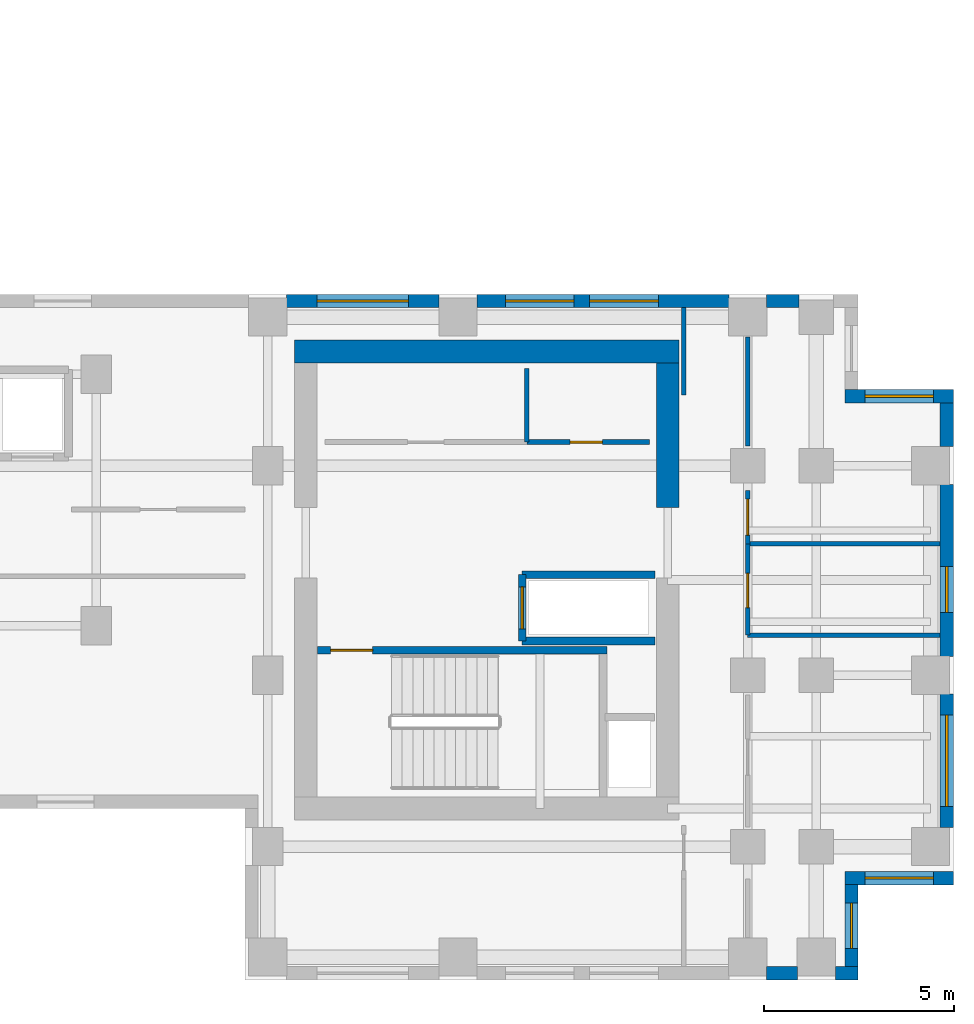
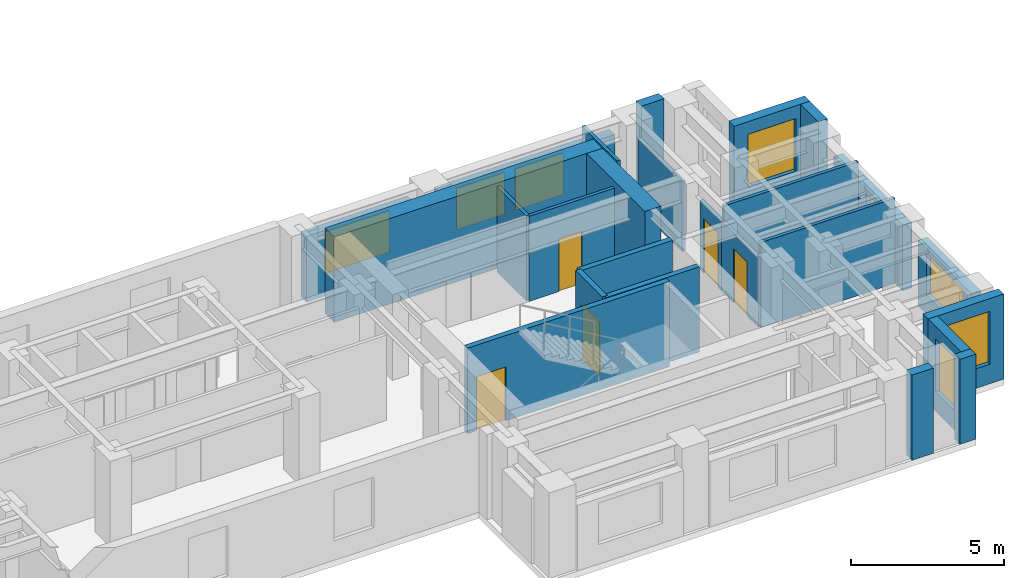
# One storey, part 8 of 13: 25 walls, 8 windows, 5 doors, 13 openings.
"""IFC4 building model written with IfcOpenShell, lengths in metres."""

from ifc_helpers import new_model, si_unit, direction, frame, frame_2d, origin, place, context, subcontext, project, spatial, rectangle, extrude, source, transform, mapped, material, layer, layer_set, type_object, element, fill, save


model = new_model("IFC4")

# Units and contexts
model_context = context("Model", 3, precision=1e-05, world=origin(), true_north=direction((0.0, 1.0)))
body_context = subcontext(model_context, "Body", "Model", "MODEL_VIEW")
ifc_project = project(units=[si_unit("LENGTHUNIT", "METRE"), si_unit("AREAUNIT", "SQUARE_METRE"), si_unit("VOLUMEUNIT", "CUBIC_METRE"), si_unit("PLANEANGLEUNIT", "RADIAN"), si_unit("MASSUNIT", "GRAM", prefix="KILO")], contexts=[model_context])

# Site, building, storey
site_placement = place(None, origin())
site = spatial("IfcSite", under=ifc_project, at=site_placement, CompositionType="ELEMENT")
building_placement = place(site_placement, origin())
building = spatial("IfcBuilding", under=site, at=building_placement, Name="Kharzan Plaza Tower", CompositionType="ELEMENT")
storey_placement = place(building_placement, frame((0.0, 0.0, 143.10009765625)))
storey = spatial("IfcBuildingStorey", under=building, at=storey_placement, Name="L38", CompositionType="ELEMENT", Elevation=143.10009765625)

# Wall, opening, window
ifc_material_1 = material(Name="Concrete C40/50", Category="concrete")
ifc_layer_1 = layer(ifc_material_1, 0.35009765625)
ifc_layer_set_1 = layer_set([ifc_layer_1], Name="Concrete C40/50")
wall_type_1 = type_object("IfcWallType", Name="WL-EXT-MAS-Z3", PredefinedType="SOLIDWALL", material=ifc_layer_set_1)
wall_1_placement = place(storey_placement, frame((50.324951171875, 0.347900390625, 0.0), z_axis=(0.0, 0.0, 1.0), x_axis=(0.0, 1.0, 0.0)))
wall_1 = element("IfcWall", 1, at=wall_1_placement, inside=storey, type_object=wall_type_1, Name="L38 Masonry-Frame Exterior Wall 34", PredefinedType="SOLIDWALL", context=body_context, shape_type="SweptSolid", body=[
    extrude(rectangle(XDim=2.154052734375, YDim=0.35009765625, at=frame_2d((1.0771484375, 0.0))), origin(), (0.0, 0.0, 1.0), 3.385009765625),
])
opening_1_placement = place(wall_1_placement, frame((0.47705078125, 0.0, 0.780029296875)))
opening_1 = element("IfcOpeningElement", 2, at=opening_1_placement, cuts=wall_1, Name="Opening W3", PredefinedType="OPENING", context=body_context, shape_type="SweptSolid", body=[
    extrude(rectangle(XDim=1.199951171875, YDim=2.10009765625, at=frame_2d((0.60009765625, 1.050048828125))), frame((0.0, 0.18505859375, 0.0), z_axis=(0.0, -1.0, 0.0), x_axis=(1.0, 0.0, 0.0)), (0.0, 0.0, 1.0), 0.3701171875),
])
ifc_material_2 = material(Name="Low-E Double Glazing", Category="glass")
window_type_1 = type_object("IfcWindowType", Name="WN-REC-1200x2100", PartitioningType="SINGLE_PANEL", PredefinedType="WINDOW", material=ifc_material_2)
shared_shape_1 = source(origin(), body_context, "Body", "SweptSolid", [
    extrude(rectangle(XDim=1.199951171875, YDim=2.10009765625, at=frame_2d((0.60009765625, 1.050048828125))), frame((0.0, 0.030029296875, 0.0), z_axis=(0.0, -1.0, 0.0), x_axis=(1.0, 0.0, 0.0)), (0.0, 0.0, 1.0), 0.06005859375),
])
window_1_placement = place(opening_1_placement, origin())
window_1 = element("IfcWindow", 3, at=window_1_placement, inside=storey, type_object=window_type_1, Name="L38 Recessed Solar-Control Window 34-1", OverallHeight=2.10009765625, OverallWidth=1.199951171875, PartitioningType="SINGLE_PANEL", PredefinedType="WINDOW", context=body_context, shape_type="MappedRepresentation", body=[
    mapped(shared_shape_1, transform((0.0, 0.0, 0.0), x_axis=(1.0, 0.0, 0.0), y_axis=(0.0, 1.0, 0.0), z_axis=(0.0, 0.0, 1.0))),
])
fill(opening_1, window_1)

wall_2_placement = place(storey_placement, frame((50.14990234375, 2.675048828125, 0.0), z_axis=(0.0, 0.0, 1.0), x_axis=(1.0, 0.0, 0.0)))
wall_2 = element("IfcWall", 4, at=wall_2_placement, inside=storey, type_object=wall_type_1, Name="L38 Masonry-Frame Exterior Wall 35", PredefinedType="SOLIDWALL", context=body_context, shape_type="SweptSolid", body=[
    extrude(rectangle(XDim=2.85009765625, YDim=0.35009765625, at=frame_2d((1.425048828125, 0.0))), origin(), (0.0, 0.0, 1.0), 3.385009765625),
])
opening_2_placement = place(wall_2_placement, frame((0.52490234375, 0.0, 0.780029296875)))
opening_2 = element("IfcOpeningElement", 5, at=opening_2_placement, cuts=wall_2, Name="Opening W1", PredefinedType="OPENING", context=body_context, shape_type="SweptSolid", body=[
    extrude(rectangle(XDim=1.800048828125, YDim=2.10009765625, at=frame_2d((0.89990234375, 1.050048828125))), frame((0.0, 0.18505859375, 0.0), z_axis=(0.0, -1.0, 0.0), x_axis=(1.0, 0.0, 0.0)), (0.0, 0.0, 1.0), 0.3701171875),
])
window_type_2 = type_object("IfcWindowType", Name="WN-REC-1800x2100", PartitioningType="SINGLE_PANEL", PredefinedType="WINDOW", material=ifc_material_2)
shared_shape_2 = source(origin(), body_context, "Body", "SweptSolid", [
    extrude(rectangle(XDim=1.800048828125, YDim=2.10009765625, at=frame_2d((0.89990234375, 1.050048828125))), frame((0.0, 0.030029296875, 0.0), z_axis=(0.0, -1.0, 0.0), x_axis=(1.0, 0.0, 0.0)), (0.0, 0.0, 1.0), 0.06005859375),
])
window_2_placement = place(opening_2_placement, origin())
window_2 = element("IfcWindow", 6, at=window_2_placement, inside=storey, type_object=window_type_2, Name="L38 Recessed Solar-Control Window 35-1", OverallHeight=2.10009765625, OverallWidth=1.800048828125, PartitioningType="SINGLE_PANEL", PredefinedType="WINDOW", context=body_context, shape_type="MappedRepresentation", body=[
    mapped(shared_shape_2, transform((0.0, 0.0, 0.0), x_axis=(1.0, 0.0, 0.0), y_axis=(0.0, 1.0, 0.0), z_axis=(0.0, 0.0, 1.0))),
])
fill(opening_2, window_2)

wall_3_placement = place(storey_placement, frame((52.824951171875, 3.998046875, 0.0), z_axis=(0.0, 0.0, 1.0), x_axis=(0.0, 1.0, 0.0)))
wall_3 = element("IfcWall", 7, at=wall_3_placement, inside=storey, type_object=wall_type_1, Name="L38 Masonry-Frame Exterior Wall 36", PredefinedType="SOLIDWALL", context=body_context, shape_type="SweptSolid", body=[
    extrude(rectangle(XDim=3.50390625, YDim=0.35009765625, at=frame_2d((1.751953125, 0.0))), origin(), (0.0, 0.0, 1.0), 2.61181640625),
])
opening_3_placement = place(wall_3_placement, frame((0.552001953125, 0.0, 0.780029296875)))
opening_3 = element("IfcOpeningElement", 8, at=opening_3_placement, cuts=wall_3, Name="Opening W2", PredefinedType="OPENING", context=body_context, shape_type="SweptSolid", body=[
    extrude(rectangle(XDim=2.39990234375, YDim=1.652099609375, at=frame_2d((1.199951171875, 0.826171875))), frame((0.0, 0.18505859375, 0.0), z_axis=(0.0, -1.0, 0.0), x_axis=(1.0, 0.0, 0.0)), (0.0, 0.0, 1.0), 0.3701171875),
])
window_type_3 = type_object("IfcWindowType", Name="WN-REC-2400x2100", PartitioningType="SINGLE_PANEL", PredefinedType="WINDOW", material=ifc_material_2)
shared_shape_3 = source(origin(), body_context, "Body", "SweptSolid", [
    extrude(rectangle(XDim=2.39990234375, YDim=1.652099609375, at=frame_2d((1.199951171875, 0.826171875))), frame((0.0, 0.030029296875, 0.0), z_axis=(0.0, -1.0, 0.0), x_axis=(1.0, 0.0, 0.0)), (0.0, 0.0, 1.0), 0.06005859375),
])
window_3_placement = place(opening_3_placement, origin())
window_3 = element("IfcWindow", 9, at=window_3_placement, inside=storey, type_object=window_type_3, Name="L38 Wide Recessed Solar-Control Window 36-1", OverallHeight=1.652099609375, OverallWidth=2.39990234375, PartitioningType="SINGLE_PANEL", PredefinedType="WINDOW", context=body_context, shape_type="MappedRepresentation", body=[
    mapped(shared_shape_3, transform((0.0, 0.0, 0.0), x_axis=(1.0, 0.0, 0.0), y_axis=(0.0, 1.0, 0.0), z_axis=(0.0, 0.0, 1.0))),
])
fill(opening_3, window_3)

wall_4_placement = place(storey_placement, frame((52.824951171875, 8.498046875, 0.0), z_axis=(0.0, 0.0, 1.0), x_axis=(0.0, 1.0, 0.0)))
wall_4 = element("IfcWall", 10, at=wall_4_placement, inside=storey, type_object=wall_type_1, Name="L38 Masonry-Frame Exterior Wall 37", PredefinedType="SOLIDWALL", context=body_context, shape_type="SweptSolid", body=[
    extrude(rectangle(XDim=4.50390625, YDim=0.35009765625, at=frame_2d((2.251953125, 0.0))), origin(), (0.0, 0.0, 1.0), 2.61181640625),
])
opening_4_placement = place(wall_4_placement, frame((1.152099609375, 0.0, 0.780029296875)))
opening_4 = element("IfcOpeningElement", 11, at=opening_4_placement, cuts=wall_4, Name="Opening W3", PredefinedType="OPENING", context=body_context, shape_type="SweptSolid", body=[
    extrude(rectangle(XDim=1.199951171875, YDim=1.652099609375, at=frame_2d((0.60009765625, 0.826171875))), frame((0.0, 0.18505859375, 0.0), z_axis=(0.0, -1.0, 0.0), x_axis=(1.0, 0.0, 0.0)), (0.0, 0.0, 1.0), 0.3701171875),
])
shared_shape_4 = source(origin(), body_context, "Body", "SweptSolid", [
    extrude(rectangle(XDim=1.199951171875, YDim=1.652099609375, at=frame_2d((0.60009765625, 0.826171875))), frame((0.0, 0.030029296875, 0.0), z_axis=(0.0, -1.0, 0.0), x_axis=(1.0, 0.0, 0.0)), (0.0, 0.0, 1.0), 0.06005859375),
])
window_4_placement = place(opening_4_placement, origin())
window_4 = element("IfcWindow", 12, at=window_4_placement, inside=storey, type_object=window_type_1, Name="L38 Recessed Solar-Control Window 37-1", OverallHeight=1.652099609375, OverallWidth=1.199951171875, PartitioningType="SINGLE_PANEL", PredefinedType="WINDOW", context=body_context, shape_type="MappedRepresentation", body=[
    mapped(shared_shape_4, transform((0.0, 0.0, 0.0), x_axis=(1.0, 0.0, 0.0), y_axis=(0.0, 1.0, 0.0), z_axis=(0.0, 0.0, 1.0))),
])
fill(opening_4, window_4)

wall_5_placement = place(storey_placement, frame((53.0, 15.324951171875, 0.0), z_axis=(0.0, 0.0, 1.0), x_axis=(-1.0, 0.0, 0.0)))
wall_5 = element("IfcWall", 13, at=wall_5_placement, inside=storey, type_object=wall_type_1, Name="L38 Masonry-Frame Exterior Wall 39", PredefinedType="SOLIDWALL", context=body_context, shape_type="SweptSolid", body=[
    extrude(rectangle(XDim=2.85009765625, YDim=0.35009765625, at=frame_2d((1.425048828125, 0.0))), origin(), (0.0, 0.0, 1.0), 3.385009765625),
])
opening_5_placement = place(wall_5_placement, frame((0.52490234375, 0.0, 0.780029296875)))
opening_5 = element("IfcOpeningElement", 14, at=opening_5_placement, cuts=wall_5, Name="Opening W1", PredefinedType="OPENING", context=body_context, shape_type="SweptSolid", body=[
    extrude(rectangle(XDim=1.800048828125, YDim=2.10009765625, at=frame_2d((0.89990234375, 1.050048828125))), frame((0.0, 0.18505859375, 0.0), z_axis=(0.0, -1.0, 0.0), x_axis=(1.0, 0.0, 0.0)), (0.0, 0.0, 1.0), 0.3701171875),
])
window_5_placement = place(opening_5_placement, origin())
window_5 = element("IfcWindow", 15, at=window_5_placement, inside=storey, type_object=window_type_2, Name="L38 Recessed Solar-Control Window 39-1", OverallHeight=2.10009765625, OverallWidth=1.800048828125, PartitioningType="SINGLE_PANEL", PredefinedType="WINDOW", context=body_context, shape_type="MappedRepresentation", body=[
    mapped(shared_shape_2, transform((0.0, 0.0, 0.0), x_axis=(1.0, 0.0, 0.0), y_axis=(0.0, 1.0, 0.0), z_axis=(0.0, 0.0, 1.0))),
])
fill(opening_5, window_5)

# Wall, openings, windows
wall_6_placement = place(storey_placement, frame((47.10205078125, 17.824951171875, 0.0), z_axis=(0.0, 0.0, 1.0), x_axis=(-1.0, 0.0, 0.0)))
wall_6 = element("IfcWall", 16, at=wall_6_placement, inside=storey, type_object=wall_type_1, Name="L38 Masonry-Frame Exterior Wall 43", PredefinedType="SOLIDWALL", context=body_context, shape_type="SweptSolid", body=[
    extrude(rectangle(XDim=6.60400390625, YDim=0.35009765625, at=frame_2d((3.302001953125, 0.0))), origin(), (0.0, 0.0, 1.0), 2.61181640625),
])
opening_6_placement = place(wall_6_placement, frame((1.849365234375, 0.0, 0.780029296875)))
opening_6 = element("IfcOpeningElement", 17, at=opening_6_placement, cuts=wall_6, Name="Opening W1", PredefinedType="OPENING", context=body_context, shape_type="SweptSolid", body=[
    extrude(rectangle(XDim=1.800048828125, YDim=1.652099609375, at=frame_2d((0.89990234375, 0.826171875))), frame((0.0, 0.18505859375, 0.0), z_axis=(0.0, -1.0, 0.0), x_axis=(1.0, 0.0, 0.0)), (0.0, 0.0, 1.0), 0.3701171875),
])
opening_7_placement = place(wall_6_placement, frame((4.066650390625, 0.0, 0.780029296875)))
opening_7 = element("IfcOpeningElement", 18, at=opening_7_placement, cuts=wall_6, Name="Opening W1", PredefinedType="OPENING", context=body_context, shape_type="SweptSolid", body=[
    extrude(rectangle(XDim=1.800048828125, YDim=1.652099609375, at=frame_2d((0.89990234375, 0.826171875))), frame((0.0, 0.18505859375, 0.0), z_axis=(0.0, -1.0, 0.0), x_axis=(1.0, 0.0, 0.0)), (0.0, 0.0, 1.0), 0.3701171875),
])
shared_shape_5 = source(origin(), body_context, "Body", "SweptSolid", [
    extrude(rectangle(XDim=1.800048828125, YDim=1.652099609375, at=frame_2d((0.89990234375, 0.826171875))), frame((0.0, 0.030029296875, 0.0), z_axis=(0.0, -1.0, 0.0), x_axis=(1.0, 0.0, 0.0)), (0.0, 0.0, 1.0), 0.06005859375),
])
window_6_placement = place(opening_6_placement, origin())
window_6 = element("IfcWindow", 19, at=window_6_placement, inside=storey, type_object=window_type_2, Name="L38 Recessed Solar-Control Window 43-1", OverallHeight=1.652099609375, OverallWidth=1.800048828125, PartitioningType="SINGLE_PANEL", PredefinedType="WINDOW", context=body_context, shape_type="MappedRepresentation", body=[
    mapped(shared_shape_5, transform((0.0, 0.0, 0.0), x_axis=(1.0, 0.0, 0.0), y_axis=(0.0, 1.0, 0.0), z_axis=(0.0, 0.0, 1.0))),
])
fill(opening_6, window_6)
window_7_placement = place(opening_7_placement, origin())
window_7 = element("IfcWindow", 20, at=window_7_placement, inside=storey, type_object=window_type_2, Name="L38 Recessed Solar-Control Window 43-2", OverallHeight=1.652099609375, OverallWidth=1.800048828125, PartitioningType="SINGLE_PANEL", PredefinedType="WINDOW", context=body_context, shape_type="MappedRepresentation", body=[
    mapped(shared_shape_5, transform((0.0, 0.0, 0.0), x_axis=(1.0, 0.0, 0.0), y_axis=(0.0, 1.0, 0.0), z_axis=(0.0, 0.0, 1.0))),
])
fill(opening_7, window_7)

# Wall, opening, window
wall_7_placement = place(storey_placement, frame((39.501953125, 17.824951171875, 0.0), z_axis=(0.0, 0.0, 1.0), x_axis=(-1.0, 0.0, 0.0)))
wall_7 = element("IfcWall", 21, at=wall_7_placement, inside=storey, type_object=wall_type_1, Name="L38 Masonry-Frame Exterior Wall 44", PredefinedType="SOLIDWALL", context=body_context, shape_type="SweptSolid", body=[
    extrude(rectangle(XDim=4.00390625, YDim=0.35009765625, at=frame_2d((2.001953125, 0.0))), origin(), (0.0, 0.0, 1.0), 2.61181640625),
])
opening_8_placement = place(wall_7_placement, frame((0.802001953125, 0.0, 0.780029296875)))
opening_8 = element("IfcOpeningElement", 22, at=opening_8_placement, cuts=wall_7, Name="Opening W2", PredefinedType="OPENING", context=body_context, shape_type="SweptSolid", body=[
    extrude(rectangle(XDim=2.39990234375, YDim=1.652099609375, at=frame_2d((1.199951171875, 0.826171875))), frame((0.0, 0.18505859375, 0.0), z_axis=(0.0, -1.0, 0.0), x_axis=(1.0, 0.0, 0.0)), (0.0, 0.0, 1.0), 0.3701171875),
])
window_8_placement = place(opening_8_placement, origin())
window_8 = element("IfcWindow", 23, at=window_8_placement, inside=storey, type_object=window_type_3, Name="L38 Wide Recessed Solar-Control Window 44-1", OverallHeight=1.652099609375, OverallWidth=2.39990234375, PartitioningType="SINGLE_PANEL", PredefinedType="WINDOW", context=body_context, shape_type="MappedRepresentation", body=[
    mapped(shared_shape_3, transform((0.0, 0.0, 0.0), x_axis=(1.0, 0.0, 0.0), y_axis=(0.0, 1.0, 0.0), z_axis=(0.0, 0.0, 1.0))),
])
fill(opening_8, window_8)

# Wall, opening, door
ifc_material_3 = material(Name="Fire-Rated Gypsum Board Partition", Category="gypsum")
ifc_layer_2 = layer(ifc_material_3, 0.125)
ifc_layer_set_2 = layer_set([ifc_layer_2], Name="Fire-Rated Gypsum Board Partition")
wall_type_2 = type_object("IfcWallType", Name="WL-INT-PART-125", PredefinedType="PARTITIONING", material=ifc_layer_set_2)
wall_8_placement = place(storey_placement, frame((41.800048828125, 14.1201171875, 0.0), z_axis=(0.0, 0.0, 1.0), x_axis=(1.0, 0.0, 0.0)))
wall_8 = element("IfcWall", 24, at=wall_8_placement, inside=storey, type_object=wall_type_2, Name="L38 Interior Partition CB-RBLSB", PredefinedType="PARTITIONING", context=body_context, shape_type="SweptSolid", body=[
    extrude(rectangle(XDim=3.219970703125, YDim=0.125, at=frame_2d((1.60986328125, 0.0))), origin(), (0.0, 0.0, 1.0), 3.385009765625),
])
opening_9_placement = place(wall_8_placement, frame((1.135009765625, 0.0, 0.0)))
opening_9 = element("IfcOpeningElement", 25, at=opening_9_placement, cuts=wall_8, Name="Opening RD1", PredefinedType="OPENING", context=body_context, shape_type="SweptSolid", body=[
    extrude(rectangle(XDim=0.85009765625, YDim=2.10009765625, at=frame_2d((0.425048828125, 1.050048828125))), frame((0.0, 0.072509765625, 0.0), z_axis=(0.0, -1.0, 0.0), x_axis=(1.0, 0.0, 0.0)), (0.0, 0.0, 1.0), 0.14501953125),
])
ifc_material_4 = material(Name="Powder-Coated Fire-Rated Steel", Category="steel")
door_type_1 = type_object("IfcDoorType", Name="DR-RISER-900", OperationType="NOTDEFINED", PredefinedType="DOOR", material=ifc_material_4)
shared_shape_6 = source(origin(), body_context, "Body", "SweptSolid", [
    extrude(rectangle(XDim=0.85009765625, YDim=2.10009765625, at=frame_2d((0.425048828125, 1.050048828125))), frame((0.0, 0.02490234375, 0.0), z_axis=(0.0, -1.0, 0.0), x_axis=(1.0, 0.0, 0.0)), (0.0, 0.0, 1.0), 0.050048828125),
])
door_1_placement = place(opening_9_placement, origin())
door_1 = element("IfcDoor", 26, at=door_1_placement, inside=storey, type_object=door_type_1, Name="L38 Housekeeping Store Door", OperationType="SINGLE_SWING_RIGHT", OverallHeight=2.10009765625, OverallWidth=0.85009765625, PredefinedType="DOOR", context=body_context, shape_type="MappedRepresentation", body=[
    mapped(shared_shape_6, transform((0.0, 0.0, 0.0), x_axis=(1.0, 0.0, 0.0), y_axis=(0.0, 1.0, 0.0), z_axis=(0.0, 0.0, 1.0))),
])
fill(opening_9, door_1)

wall_9_placement = place(storey_placement, frame((47.60009765625, 11.449951171875, 0.0), z_axis=(0.0, 0.0, 1.0), x_axis=(0.0, 1.0, 0.0)))
wall_9 = element("IfcWall", 27, at=wall_9_placement, inside=storey, type_object=wall_type_2, Name="L38 Interior Partition SH-B1W1", PredefinedType="PARTITIONING", context=body_context, shape_type="SweptSolid", body=[
    extrude(rectangle(XDim=1.400146484375, YDim=0.125, at=frame_2d((0.7001953125, 0.0))), origin(), (0.0, 0.0, 1.0), 2.77294921875),
])
opening_10_placement = place(wall_9_placement, frame((0.22509765625, 0.0, 0.0)))
opening_10 = element("IfcOpeningElement", 28, at=opening_10_placement, cuts=wall_9, Name="Opening OD1", PredefinedType="OPENING", context=body_context, shape_type="SweptSolid", body=[
    extrude(rectangle(XDim=0.949951171875, YDim=2.14990234375, at=frame_2d((0.47509765625, 1.074951171875))), frame((0.0, 0.072509765625, 0.0), z_axis=(0.0, -1.0, 0.0), x_axis=(1.0, 0.0, 0.0)), (0.0, 0.0, 1.0), 0.14501953125),
])
ifc_material_5 = material(Name="Acoustic Solid-Core Stained Oak", Category="timber")
door_type_2 = type_object("IfcDoorType", Name="DR-OFF-SINGLE", OperationType="NOTDEFINED", PredefinedType="DOOR", material=ifc_material_5)
shared_shape_7 = source(origin(), body_context, "Body", "SweptSolid", [
    extrude(rectangle(XDim=0.949951171875, YDim=2.14990234375, at=frame_2d((0.47509765625, 1.074951171875))), frame((0.0, 0.02490234375, 0.0), z_axis=(0.0, -1.0, 0.0), x_axis=(1.0, 0.0, 0.0)), (0.0, 0.0, 1.0), 0.050048828125),
])
door_2_placement = place(opening_10_placement, origin())
door_2 = element("IfcDoor", 29, at=door_2_placement, inside=storey, type_object=door_type_2, Name="L38 Wing B North Office Door", OperationType="SINGLE_SWING_LEFT", OverallHeight=2.14990234375, OverallWidth=0.949951171875, PredefinedType="DOOR", context=body_context, shape_type="MappedRepresentation", body=[
    mapped(shared_shape_7, transform((0.0, 0.0, 0.0), x_axis=(1.0, 0.0, 0.0), y_axis=(0.0, 1.0, 0.0), z_axis=(0.0, 0.0, 1.0))),
])
fill(opening_10, door_2)

wall_10_placement = place(storey_placement, frame((47.60009765625, 9.050048828125, 0.0), z_axis=(0.0, 0.0, 1.0), x_axis=(0.0, 1.0, 0.0)))
wall_10 = element("IfcWall", 30, at=wall_10_placement, inside=storey, type_object=wall_type_2, Name="L38 Interior Partition SH-B1WC", PredefinedType="PARTITIONING", context=body_context, shape_type="SweptSolid", body=[
    extrude(rectangle(XDim=2.39990234375, YDim=0.125, at=frame_2d((1.199951171875, 0.0))), origin(), (0.0, 0.0, 1.0), 2.77294921875),
])
opening_11_placement = place(wall_10_placement, frame((0.72509765625, 0.0, 0.0)))
opening_11 = element("IfcOpeningElement", 31, at=opening_11_placement, cuts=wall_10, Name="Opening WD1", PredefinedType="OPENING", context=body_context, shape_type="SweptSolid", body=[
    extrude(rectangle(XDim=0.89990234375, YDim=2.14990234375, at=frame_2d((0.449951171875, 1.074951171875))), frame((0.0, 0.072509765625, 0.0), z_axis=(0.0, -1.0, 0.0), x_axis=(1.0, 0.0, 0.0)), (0.0, 0.0, 1.0), 0.14501953125),
])
ifc_material_6 = material(Name="Moisture-Resistant Fire-Rated Laminate", Category="timber")
door_type_3 = type_object("IfcDoorType", Name="DR-WC-900", OperationType="NOTDEFINED", PredefinedType="DOOR", material=ifc_material_6)
shared_shape_8 = source(origin(), body_context, "Body", "SweptSolid", [
    extrude(rectangle(XDim=0.89990234375, YDim=2.14990234375, at=frame_2d((0.449951171875, 1.074951171875))), frame((0.0, 0.02490234375, 0.0), z_axis=(0.0, -1.0, 0.0), x_axis=(1.0, 0.0, 0.0)), (0.0, 0.0, 1.0), 0.050048828125),
])
door_3_placement = place(opening_11_placement, origin())
door_3 = element("IfcDoor", 32, at=door_3_placement, inside=storey, type_object=door_type_3, Name="L38 Wing B Washroom Door", OperationType="SINGLE_SWING_LEFT", OverallHeight=2.14990234375, OverallWidth=0.89990234375, PredefinedType="DOOR", context=body_context, shape_type="MappedRepresentation", body=[
    mapped(shared_shape_8, transform((0.0, 0.0, 0.0), x_axis=(1.0, 0.0, 0.0), y_axis=(0.0, 1.0, 0.0), z_axis=(0.0, 0.0, 1.0))),
])
fill(opening_11, door_3)

ifc_layer_3 = layer(ifc_material_1, 0.199951171875)
ifc_layer_set_3 = layer_set([ifc_layer_3], Name="Concrete C40/50")
wall_type_3 = type_object("IfcWallType", Name="WL-INT-SHAFT-200", PredefinedType="PARTITIONING", material=ifc_layer_set_3)
wall_11_placement = place(storey_placement, frame((41.679931640625, 8.89990234375, 0.0), z_axis=(0.0, 0.0, 1.0), x_axis=(0.0, 1.0, 0.0)))
wall_11 = element("IfcWall", 33, at=wall_11_placement, inside=storey, type_object=wall_type_3, Name="L38 Interior Partition SHF-SVL-2-W", PredefinedType="PARTITIONING", context=body_context, shape_type="SweptSolid", body=[
    extrude(rectangle(XDim=1.739990234375, YDim=0.199951171875, at=frame_2d((0.8701171875, 0.0))), origin(), (0.0, 0.0, 1.0), 3.385009765625),
])
opening_12_placement = place(wall_11_placement, frame((0.320068359375, 0.0, 0.0)))
opening_12 = element("IfcOpeningElement", 34, at=opening_12_placement, cuts=wall_11, Name="Opening LD", PredefinedType="OPENING", context=body_context, shape_type="SweptSolid", body=[
    extrude(rectangle(XDim=1.10009765625, YDim=2.199951171875, at=frame_2d((0.550048828125, 1.10009765625))), frame((0.0, 0.10986328125, 0.0), z_axis=(0.0, -1.0, 0.0), x_axis=(1.0, 0.0, 0.0)), (0.0, 0.0, 1.0), 0.219970703125),
])
ifc_material_7 = material(Name="Brushed Stainless Steel", Category="steel")
door_type_4 = type_object("IfcDoorType", Name="DR-LIFT-SLIDE", OperationType="SLIDING_TO_LEFT", PredefinedType="DOOR", material=ifc_material_7)
shared_shape_9 = source(origin(), body_context, "Body", "SweptSolid", [
    extrude(rectangle(XDim=1.10009765625, YDim=2.199951171875, at=frame_2d((0.550048828125, 1.10009765625))), frame((0.0, 0.02490234375, 0.0), z_axis=(0.0, -1.0, 0.0), x_axis=(1.0, 0.0, 0.0)), (0.0, 0.0, 1.0), 0.050048828125),
])
door_4_placement = place(opening_12_placement, origin())
door_4 = element("IfcDoor", 35, at=door_4_placement, inside=storey, type_object=door_type_4, Name="L38 Service Lift SVL-2 Sliding Landing Door", OperationType="SLIDING_TO_LEFT", OverallHeight=2.199951171875, OverallWidth=1.10009765625, PredefinedType="DOOR", context=body_context, shape_type="MappedRepresentation", body=[
    mapped(shared_shape_9, transform((0.0, 0.0, 0.0), x_axis=(1.0, 0.0, 0.0), y_axis=(0.0, 1.0, 0.0), z_axis=(0.0, 0.0, 1.0))),
])
fill(opening_12, door_4)

ifc_material_8 = material(Name="Concrete C50/60", Category="concrete")
ifc_layer_4 = layer(ifc_material_8, 0.199951171875)
ifc_layer_set_4 = layer_set([ifc_layer_4], Name="Concrete C50/60")
wall_type_4 = type_object("IfcWallType", Name="WL-SHAFT-RC200", PredefinedType="SHEAR", material=ifc_layer_set_4)
wall_12_placement = place(storey_placement, frame((36.302001953125, 8.655029296875, 0.0), z_axis=(0.0, 0.0, 1.0), x_axis=(1.0, 0.0, 0.0)))
wall_12 = element("IfcWall", 36, at=wall_12_placement, inside=storey, type_object=wall_type_4, Name="L38 Stair ST-3 North RC Shaft Wall", PredefinedType="SHEAR", context=body_context, shape_type="SweptSolid", body=[
    extrude(rectangle(XDim=7.60302734375, YDim=0.199951171875, at=frame_2d((3.801513671875, 0.0))), origin(), (0.0, 0.0, 1.0), 3.39990234375),
])
opening_13_placement = place(wall_12_placement, frame((0.35009765625, 0.0, 0.0)))
opening_13 = element("IfcOpeningElement", 37, at=opening_13_placement, cuts=wall_12, Name="Opening SD1", PredefinedType="OPENING", context=body_context, shape_type="SweptSolid", body=[
    extrude(rectangle(XDim=1.10009765625, YDim=2.14990234375, at=frame_2d((0.550048828125, 1.074951171875))), frame((0.0, 0.10986328125, 0.0), z_axis=(0.0, -1.0, 0.0), x_axis=(1.0, 0.0, 0.0)), (0.0, 0.0, 1.0), 0.219970703125),
])
ifc_material_9 = material(Name="Fire-Rated Hollow Galvanized Steel", Category="steel")
door_type_5 = type_object("IfcDoorType", Name="DR-STAIR-FD120", OperationType="NOTDEFINED", PredefinedType="DOOR", material=ifc_material_9)
shared_shape_10 = source(origin(), body_context, "Body", "SweptSolid", [
    extrude(rectangle(XDim=1.10009765625, YDim=2.14990234375, at=frame_2d((0.550048828125, 1.074951171875))), frame((0.0, 0.02490234375, 0.0), z_axis=(0.0, -1.0, 0.0), x_axis=(1.0, 0.0, 0.0)), (0.0, 0.0, 1.0), 0.050048828125),
])
door_5_placement = place(opening_13_placement, origin())
door_5 = element("IfcDoor", 38, at=door_5_placement, inside=storey, type_object=door_type_5, Name="L38 Stair ST-3 Fire Exit Door", OperationType="SINGLE_SWING_RIGHT", OverallHeight=2.14990234375, OverallWidth=1.10009765625, PredefinedType="DOOR", context=body_context, shape_type="MappedRepresentation", body=[
    mapped(shared_shape_10, transform((0.0, 0.0, 0.0), x_axis=(1.0, 0.0, 0.0), y_axis=(0.0, 1.0, 0.0), z_axis=(0.0, 0.0, 1.0))),
])
fill(opening_13, door_5)

# Walls
ifc_layer_5 = layer(ifc_material_8, 0.60009765625)
ifc_layer_set_5 = layer_set([ifc_layer_5], Name="Concrete C50/60")
wall_type_5 = type_object("IfcWallType", Name="WL-CORE-600", PredefinedType="SHEAR", material=ifc_layer_set_5)
shared_shape_11 = source(origin(), body_context, "Body", "SweptSolid", [
    extrude(rectangle(XDim=3.800048828125, YDim=0.60009765625, at=frame_2d((1.89990234375, 0.0))), origin(), (0.0, 0.0, 1.0), 3.39990234375),
])
wall_13_placement = place(storey_placement, frame((45.5, 12.39990234375, 0.0), z_axis=(0.0, 0.0, 1.0), x_axis=(0.0, 1.0, 0.0)))
element("IfcWall", 39, at=wall_13_placement, inside=storey, type_object=wall_type_5, Name="L38 CORE-B east shear pier 2", PredefinedType="SHEAR", context=body_context, shape_type="MappedRepresentation", body=[
    mapped(shared_shape_11, transform((0.0, 0.0, 0.0), x_axis=(1.0, 0.0, 0.0), y_axis=(0.0, 1.0, 0.0), z_axis=(0.0, 0.0, 1.0))),
])
shared_shape_12 = source(origin(), body_context, "Body", "SweptSolid", [
    extrude(rectangle(XDim=10.10009765625, YDim=0.60009765625, at=frame_2d((5.050048828125, 0.0))), origin(), (0.0, 0.0, 1.0), 3.39990234375),
])
wall_14_placement = place(storey_placement, frame((35.699951171875, 16.5, 0.0), z_axis=(0.0, 0.0, 1.0), x_axis=(1.0, 0.0, 0.0)))
element("IfcWall", 40, at=wall_14_placement, inside=storey, type_object=wall_type_5, Name="L38 CORE-B north RC shear wall", PredefinedType="SHEAR", context=body_context, shape_type="MappedRepresentation", body=[
    mapped(shared_shape_12, transform((0.0, 0.0, 0.0), x_axis=(1.0, 0.0, 0.0), y_axis=(0.0, 1.0, 0.0), z_axis=(0.0, 0.0, 1.0))),
])
shared_shape_13 = source(origin(), body_context, "Body", "SweptSolid", [
    extrude(rectangle(XDim=0.80419921875, YDim=0.35009765625, at=frame_2d((0.402099609375, 0.0))), origin(), (0.0, 0.0, 1.0), 3.385009765625),
])
wall_15_placement = place(storey_placement, frame((48.097900390625, 0.175048828125, 0.0), z_axis=(0.0, 0.0, 1.0), x_axis=(1.0, 0.0, 0.0)))
element("IfcWall", 41, at=wall_15_placement, inside=storey, type_object=wall_type_1, Name="L38 Masonry-Frame Exterior Wall 32", PredefinedType="SOLIDWALL", context=body_context, shape_type="MappedRepresentation", body=[
    mapped(shared_shape_13, transform((0.0, 0.0, 0.0), x_axis=(1.0, 0.0, 0.0), y_axis=(0.0, 1.0, 0.0), z_axis=(0.0, 0.0, 1.0))),
])
shared_shape_14 = source(origin(), body_context, "Body", "SweptSolid", [
    extrude(rectangle(XDim=0.60205078125, YDim=0.35009765625, at=frame_2d((0.301025390625, 0.0))), origin(), (0.0, 0.0, 1.0), 3.385009765625),
])
wall_16_placement = place(storey_placement, frame((49.89794921875, 0.175048828125, 0.0), z_axis=(0.0, 0.0, 1.0), x_axis=(1.0, 0.0, 0.0)))
element("IfcWall", 42, at=wall_16_placement, inside=storey, type_object=wall_type_1, Name="L38 Masonry-Frame Exterior Wall 33", PredefinedType="SOLIDWALL", context=body_context, shape_type="MappedRepresentation", body=[
    mapped(shared_shape_14, transform((0.0, 0.0, 0.0), x_axis=(1.0, 0.0, 0.0), y_axis=(0.0, 1.0, 0.0), z_axis=(0.0, 0.0, 1.0))),
])
shared_shape_15 = source(origin(), body_context, "Body", "SweptSolid", [
    extrude(rectangle(XDim=1.154052734375, YDim=0.35009765625, at=frame_2d((0.5771484375, 0.0))), origin(), (0.0, 0.0, 1.0), 3.385009765625),
])
wall_17_placement = place(storey_placement, frame((52.824951171875, 13.998046875, 0.0), z_axis=(0.0, 0.0, 1.0), x_axis=(0.0, 1.0, 0.0)))
element("IfcWall", 43, at=wall_17_placement, inside=storey, type_object=wall_type_1, Name="L38 Masonry-Frame Exterior Wall 38", PredefinedType="SOLIDWALL", context=body_context, shape_type="MappedRepresentation", body=[
    mapped(shared_shape_15, transform((0.0, 0.0, 0.0), x_axis=(1.0, 0.0, 0.0), y_axis=(0.0, 1.0, 0.0), z_axis=(0.0, 0.0, 1.0))),
])
shared_shape_16 = source(origin(), body_context, "Body", "SweptSolid", [
    extrude(rectangle(XDim=0.85400390625, YDim=0.35009765625, at=frame_2d((0.427001953125, 0.0))), origin(), (0.0, 0.0, 1.0), 3.385009765625),
])
wall_18_placement = place(storey_placement, frame((48.951904296875, 17.824951171875, 0.0), z_axis=(0.0, 0.0, 1.0), x_axis=(-1.0, 0.0, 0.0)))
element("IfcWall", 44, at=wall_18_placement, inside=storey, type_object=wall_type_1, Name="L38 Masonry-Frame Exterior Wall 42", PredefinedType="SOLIDWALL", context=body_context, shape_type="MappedRepresentation", body=[
    mapped(shared_shape_16, transform((0.0, 0.0, 0.0), x_axis=(1.0, 0.0, 0.0), y_axis=(0.0, 1.0, 0.0), z_axis=(0.0, 0.0, 1.0))),
])
shared_shape_17 = source(origin(), body_context, "Body", "SweptSolid", [
    extrude(rectangle(XDim=1.929931640625, YDim=0.125, at=frame_2d((0.96484375, 0.0))), origin(), (0.0, 0.0, 1.0), 3.385009765625),
])
wall_19_placement = place(storey_placement, frame((41.800048828125, 14.1201171875, 0.0), z_axis=(0.0, 0.0, 1.0), x_axis=(0.0, 1.0, 0.0)))
element("IfcWall", 45, at=wall_19_placement, inside=storey, type_object=wall_type_2, Name="L38 Interior Partition CB-RBLM2", PredefinedType="PARTITIONING", context=body_context, shape_type="MappedRepresentation", body=[
    mapped(shared_shape_17, transform((0.0, 0.0, 0.0), x_axis=(1.0, 0.0, 0.0), y_axis=(0.0, 1.0, 0.0), z_axis=(0.0, 0.0, 1.0))),
])
shared_shape_18 = source(origin(), body_context, "Body", "SweptSolid", [
    extrude(rectangle(XDim=5.0478515625, YDim=0.125, at=frame_2d((2.52392578125, 0.0))), origin(), (0.0, 0.0, 1.0), 3.385009765625),
])
for number, where, z_axis, x_axis, name in (
    (46, (47.60009765625, 11.449951171875, 0.0), (0.0, 0.0, 1.0), (1.0, 0.0, 0.0), "L38 Interior Partition SH-B1H-118"),
    (47, (47.60009765625, 9.050048828125, 0.0), (0.0, 0.0, 1.0), (1.0, 0.0, 0.0), "L38 Interior Partition SH-B1H-90"),
):
    element("IfcWall", number, at=place(storey_placement, frame(where, z_axis=z_axis, x_axis=x_axis)), inside=storey, type_object=wall_type_2, Name=name, PredefinedType="PARTITIONING", context=body_context, shape_type="MappedRepresentation", body=[
        mapped(shared_shape_18, transform((0.0, 0.0, 0.0), x_axis=(1.0, 0.0, 0.0), y_axis=(0.0, 1.0, 0.0), z_axis=(0.0, 0.0, 1.0))),
    ])
shared_shape_19 = source(origin(), body_context, "Body", "SweptSolid", [
    extrude(rectangle(XDim=2.85986328125, YDim=0.125, at=frame_2d((1.429931640625, 0.0))), origin(), (0.0, 0.0, 1.0), 2.77294921875),
])
wall_20_placement = place(storey_placement, frame((47.60009765625, 14.02001953125, 0.0), z_axis=(0.0, 0.0, 1.0), x_axis=(0.0, 1.0, 0.0)))
element("IfcWall", 48, at=wall_20_placement, inside=storey, type_object=wall_type_2, Name="L38 Interior Partition SH-B1W1N", PredefinedType="PARTITIONING", context=body_context, shape_type="MappedRepresentation", body=[
    mapped(shared_shape_19, transform((0.0, 0.0, 0.0), x_axis=(1.0, 0.0, 0.0), y_axis=(0.0, 1.0, 0.0), z_axis=(0.0, 0.0, 1.0))),
])
shared_shape_20 = source(origin(), body_context, "Body", "SweptSolid", [
    extrude(rectangle(XDim=2.2978515625, YDim=0.125, at=frame_2d((1.14892578125, 0.0))), origin(), (0.0, 0.0, 1.0), 3.385009765625),
])
wall_21_placement = place(storey_placement, frame((45.919921875, 15.35009765625, 0.0), z_axis=(0.0, 0.0, 1.0), x_axis=(0.0, 1.0, 0.0)))
element("IfcWall", 49, at=wall_21_placement, inside=storey, type_object=wall_type_2, Name="L38 Interior Partition SH-RBNE0", PredefinedType="PARTITIONING", context=body_context, shape_type="MappedRepresentation", body=[
    mapped(shared_shape_20, transform((0.0, 0.0, 0.0), x_axis=(1.0, 0.0, 0.0), y_axis=(0.0, 1.0, 0.0), z_axis=(0.0, 0.0, 1.0))),
])
shared_shape_21 = source(origin(), body_context, "Body", "SweptSolid", [
    extrude(rectangle(XDim=3.489990234375, YDim=0.199951171875, at=frame_2d((1.7451171875, 0.0))), origin(), (0.0, 0.0, 1.0), 3.385009765625),
])
for number, where, z_axis, x_axis, name in (
    (50, (41.679931640625, 10.639892578125, 0.0), (0.0, 0.0, 1.0), (1.0, 0.0, 0.0), "L38 Interior Partition SHF-SVL-2-N"),
    (51, (41.679931640625, 8.89990234375, 0.0), (0.0, 0.0, 1.0), (1.0, 0.0, 0.0), "L38 Interior Partition SHF-SVL-2-S"),
):
    element("IfcWall", number, at=place(storey_placement, frame(where, z_axis=z_axis, x_axis=x_axis)), inside=storey, type_object=wall_type_3, Name=name, PredefinedType="PARTITIONING", context=body_context, shape_type="MappedRepresentation", body=[
        mapped(shared_shape_21, transform((0.0, 0.0, 0.0), x_axis=(1.0, 0.0, 0.0), y_axis=(0.0, 1.0, 0.0), z_axis=(0.0, 0.0, 1.0))),
    ])

save(model, "model.ifc")
